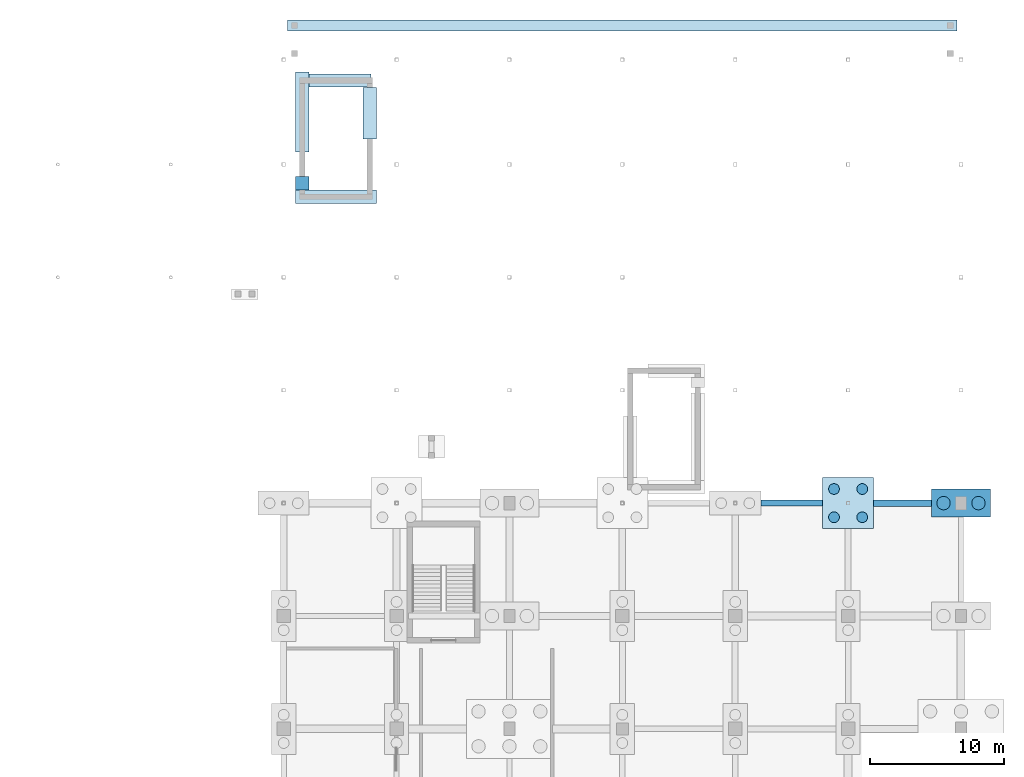
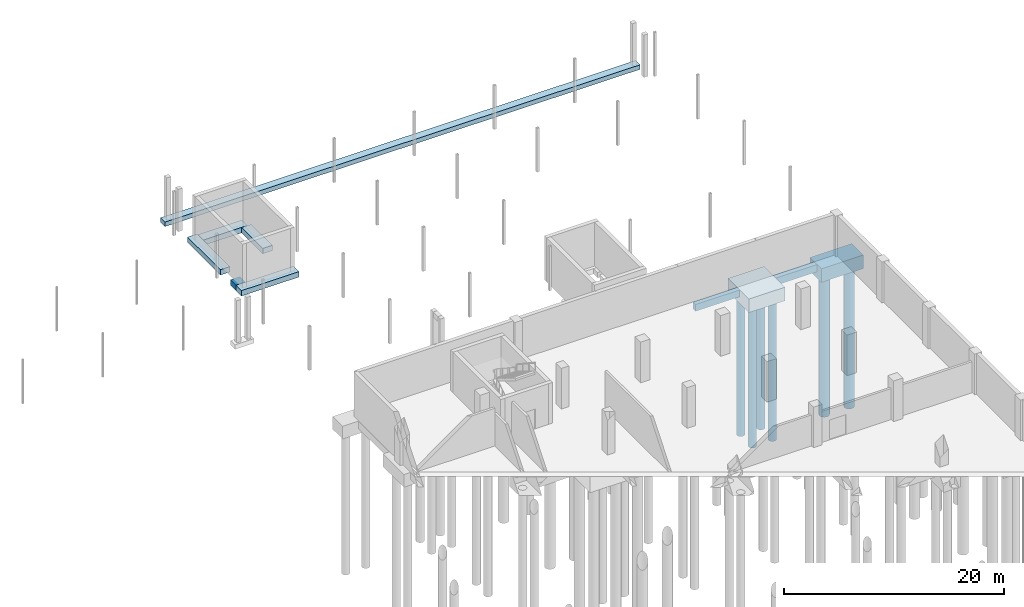
# One storey, part 9 of 39: 10 footings, 6 piles.
"""IFC4 building model written with IfcOpenShell, lengths in metres."""

from ifc_helpers import new_model, si_unit, derived_unit, direction, frame, origin, origin_2d, place, context, subcontext, project, spatial, polyline, rectangle, circle, outline, extrude, material, material_profile, profile_set, type_object, element, save


model = new_model("IFC4")

# Units and contexts
model_context = context("Model", 3, precision=1e-05, world=origin(), true_north=direction((0.0, 1.0)))
body_context = subcontext(model_context, "Body", "Model", "MODEL_VIEW")
ifc_project = project(units=[si_unit("LENGTHUNIT", "METRE"), si_unit("AREAUNIT", "SQUARE_METRE"), si_unit("VOLUMEUNIT", "CUBIC_METRE"), si_unit("PLANEANGLEUNIT", "RADIAN"), si_unit("MASSUNIT", "GRAM", prefix="KILO"), derived_unit("THERMALTRANSMITTANCEUNIT", [(si_unit("POWERUNIT", "WATT"), 1), (si_unit("LENGTHUNIT", "METRE"), -2), (si_unit("THERMODYNAMICTEMPERATUREUNIT", "KELVIN"), -1)])], contexts=[model_context])

# Site, building, storey
site_placement = place(None, origin())
site = spatial("IfcSite", under=ifc_project, at=site_placement, CompositionType="ELEMENT")
building_placement = place(site_placement, origin())
building = spatial("IfcBuilding", under=site, at=building_placement, Name="Barrovel Congress Hotel", CompositionType="ELEMENT")
storey_placement = place(building_placement, frame((0.0, 0.0, -4.5)))
storey = spatial("IfcBuildingStorey", under=building, at=storey_placement, Name="B01", CompositionType="ELEMENT", Elevation=-4.5)

# Footings
ifc_material_1 = material(Name="Concrete C40", Category="concrete")
footing_type_1 = type_object("IfcFootingType", Name="CAP-PC-05", PredefinedType="PILE_CAP", material=ifc_material_1)
footing_1_placement = place(storey_placement, frame((176.39990234375, 79.800048828125, -1.860107421875), z_axis=(0.0, 0.0, 1.0), x_axis=(1.0, 0.0, 0.0)))
element("IfcFooting", 1, at=footing_1_placement, inside=storey, type_object=footing_type_1, Name="CAP:B01:176.4:79.8", PredefinedType="PILE_CAP", context=body_context, shape_type="SweptSolid", body=[
    extrude(rectangle(XDim=4.39990234375, YDim=2.10009765625, at=origin_2d()), origin(), (0.0, 0.0, 1.0), 1.5),
])
footing_type_2 = type_object("IfcFootingType", Name="CAP-PC-07", PredefinedType="PILE_CAP", material=ifc_material_1)
footing_2_placement = place(storey_placement, frame((168.0, 79.800048828125, -1.860107421875), z_axis=(0.0, 0.0, 1.0), x_axis=(1.0, 0.0, 0.0)))
element("IfcFooting", 2, at=footing_2_placement, inside=storey, type_object=footing_type_2, Name="CAP:B01:168.0:79.8", PredefinedType="PILE_CAP", context=body_context, shape_type="SweptSolid", body=[
    extrude(rectangle(XDim=3.800048828125, YDim=3.800048828125, at=origin_2d()), origin(), (0.0, 0.0, 1.0), 1.5),
])
footing_type_3 = type_object("IfcFootingType", Name="FB-450x750", PredefinedType="FOOTING_BEAM", material=ifc_material_1)
footing_3_placement = place(storey_placement, frame((0.0, 0.0, -1.110107421875)))
element("IfcFooting", 3, at=footing_3_placement, inside=storey, type_object=footing_type_3, Name="FBX:B01:79.8:159.6-168.0", PredefinedType="FOOTING_BEAM", context=body_context, shape_type="SweptSolid", body=[
    extrude(outline(polyline([(161.5, 79.574951171875), (166.10009765625, 79.574951171875), (166.10009765625, 80.02490234375), (161.5, 80.02490234375), (161.5, 79.574951171875)])), origin(), (0.0, 0.0, 1.0), 0.75),
])
footing_type_4 = type_object("IfcFootingType", Name="FB-500x800", PredefinedType="FOOTING_BEAM", material=ifc_material_1)
footing_4_placement = place(storey_placement, frame((0.0, 0.0, -1.159912109375)))
element("IfcFooting", 4, at=footing_4_placement, inside=storey, type_object=footing_type_4, Name="FBX:B01:79.8:168.0-176.4", PredefinedType="FOOTING_BEAM", context=body_context, shape_type="SweptSolid", body=[
    extrude(outline(polyline([(169.89990234375, 79.550048828125), (174.199951171875, 79.550048828125), (174.199951171875, 80.050048828125), (169.89990234375, 80.050048828125), (169.89990234375, 79.550048828125)])), origin(), (0.0, 0.0, 1.0), 0.7998046875),
])

# Piles
ifc_material_2 = material(Name="Concrete C35", Category="concrete")
ifc_material_profile_1 = material_profile(ifc_material_2, circle(Radius=0.5, at=origin_2d()), Name="BP-D1000")
ifc_profile_set_1 = profile_set([ifc_material_profile_1], Name="Concrete C35")
pile_type_1 = type_object("IfcPileType", Name="PILE-BP-D1000", PredefinedType="BORED", material=ifc_profile_set_1)
for number, where, z_axis, x_axis, name in (
    (5, (175.10009765625, 79.800048828125, -1.860107421875), (0.0, 0.0, -1.0), (1.0, 0.0, 0.0), "PILE:B01:176.4:79.8:1"),
    (6, (177.699951171875, 79.800048828125, -1.860107421875), (0.0, 0.0, -1.0), (1.0, 0.0, 0.0), "PILE:B01:176.4:79.8:2"),
):
    element("IfcPile", number, at=place(storey_placement, frame(where, z_axis=z_axis, x_axis=x_axis)), inside=storey, type_object=pile_type_1, Name=name, PredefinedType="BORED", context=body_context, shape_type="SweptSolid", body=[
        extrude(circle(Radius=0.5, at=origin_2d()), origin(), (0.0, 0.0, 1.0), 15.5400390625),
    ])
ifc_material_profile_2 = material_profile(ifc_material_2, circle(Radius=0.39990234375, at=origin_2d()), Name="BP-D800")
ifc_profile_set_2 = profile_set([ifc_material_profile_2], Name="Concrete C35")
pile_type_2 = type_object("IfcPileType", Name="PILE-BP-D800", PredefinedType="BORED", material=ifc_profile_set_2)
for number, where, z_axis, x_axis, name in (
    (7, (166.949951171875, 78.75, -1.860107421875), (0.0, 0.0, -1.0), (1.0, 0.0, 0.0), "PILE:B01:168.0:79.8:1"),
    (8, (169.050048828125, 78.75, -1.860107421875), (0.0, 0.0, -1.0), (1.0, 0.0, 0.0), "PILE:B01:168.0:79.8:2"),
    (9, (166.949951171875, 80.85009765625, -1.860107421875), (0.0, 0.0, -1.0), (1.0, 0.0, 0.0), "PILE:B01:168.0:79.8:3"),
    (10, (169.050048828125, 80.85009765625, -1.860107421875), (0.0, 0.0, -1.0), (1.0, 0.0, 0.0), "PILE:B01:168.0:79.8:4"),
):
    element("IfcPile", number, at=place(storey_placement, frame(where, z_axis=z_axis, x_axis=x_axis)), inside=storey, type_object=pile_type_2, Name=name, PredefinedType="BORED", context=body_context, shape_type="SweptSolid", body=[
        extrude(circle(Radius=0.39990234375, at=origin_2d()), origin(), (0.0, 0.0, 1.0), 15.5400390625),
    ])

# Footings
footing_type_5 = type_object("IfcFootingType", Name="SF-1000x600", PredefinedType="STRIP_FOOTING", material=ifc_material_1)
footing_5_placement = place(storey_placement, frame((0.0, 0.0, -0.9599609375)))
element("IfcFooting", 11, at=footing_5_placement, inside=storey, type_object=footing_type_5, Name="SF:CORE:XS-10:S", PredefinedType="STRIP_FOOTING", context=body_context, shape_type="SweptSolid", body=[
    extrude(outline(polyline([(126.889892578125, 102.090087890625), (132.909912109375, 102.090087890625), (132.909912109375, 103.090087890625), (126.889892578125, 103.090087890625), (126.889892578125, 102.090087890625)])), origin(), (0.0, 0.0, 1.0), 0.599853515625),
])
footing_6_placement = place(storey_placement, frame((0.0, 0.0, -0.9599609375)))
element("IfcFooting", 12, at=footing_6_placement, inside=storey, type_object=footing_type_5, Name="SF:CORE:XS-10:W:1", PredefinedType="STRIP_FOOTING", context=body_context, shape_type="SweptSolid", body=[
    extrude(outline(polyline([(126.889892578125, 103.10009765625), (127.889892578125, 103.10009765625), (127.889892578125, 104.090087890625), (126.889892578125, 104.090087890625), (126.889892578125, 103.10009765625)])), origin(), (0.0, 0.0, 1.0), 0.599853515625),
])
footing_7_placement = place(storey_placement, frame((0.0, 0.0, -0.9599609375)))
element("IfcFooting", 13, at=footing_7_placement, inside=storey, type_object=footing_type_5, Name="SF:CORE:XS-10:W:2", PredefinedType="STRIP_FOOTING", context=body_context, shape_type="SweptSolid", body=[
    extrude(outline(polyline([(126.889892578125, 105.909912109375), (127.889892578125, 105.909912109375), (127.889892578125, 111.889892578125), (126.889892578125, 111.889892578125), (126.889892578125, 105.909912109375)])), origin(), (0.0, 0.0, 1.0), 0.599853515625),
])
footing_8_placement = place(storey_placement, frame((0.0, 0.0, -0.9599609375)))
element("IfcFooting", 14, at=footing_8_placement, inside=storey, type_object=footing_type_5, Name="SF:CORE:XS-10:N", PredefinedType="STRIP_FOOTING", context=body_context, shape_type="SweptSolid", body=[
    extrude(outline(polyline([(127.89990234375, 110.75), (132.489990234375, 110.75), (132.489990234375, 111.75), (127.89990234375, 111.75), (127.89990234375, 110.75)])), origin(), (0.0, 0.0, 1.0), 0.599853515625),
])
footing_9_placement = place(storey_placement, frame((0.0, 0.0, -0.9599609375)))
element("IfcFooting", 15, at=footing_9_placement, inside=storey, type_object=footing_type_5, Name="SF:CORE:XS-10:E", PredefinedType="STRIP_FOOTING", context=body_context, shape_type="SweptSolid", body=[
    extrude(outline(polyline([(131.909912109375, 106.909912109375), (132.909912109375, 106.909912109375), (132.909912109375, 110.739990234375), (131.909912109375, 110.739990234375), (131.909912109375, 106.909912109375)])), origin(), (0.0, 0.0, 1.0), 0.599853515625),
])
footing_type_6 = type_object("IfcFootingType", Name="SF-800x500", PredefinedType="STRIP_FOOTING", material=ifc_material_1)
footing_10_placement = place(storey_placement, frame((0.0, 0.0, -0.860107421875)))
element("IfcFooting", 16, at=footing_10_placement, inside=storey, type_object=footing_type_6, Name="SF:PAV-NORTH-SPA:B", PredefinedType="STRIP_FOOTING", context=body_context, shape_type="SweptSolid", body=[
    extrude(outline(polyline([(126.300048828125, 114.949951171875), (176.10009765625, 114.949951171875), (176.10009765625, 115.75), (126.300048828125, 115.75), (126.300048828125, 114.949951171875)])), origin(), (0.0, 0.0, 1.0), 0.5),
])

save(model, "model.ifc")
